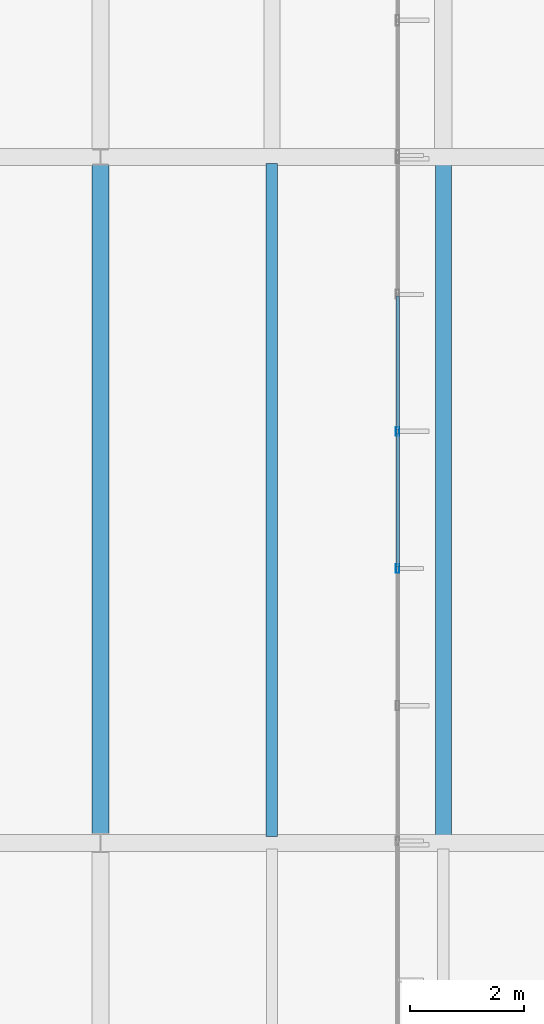
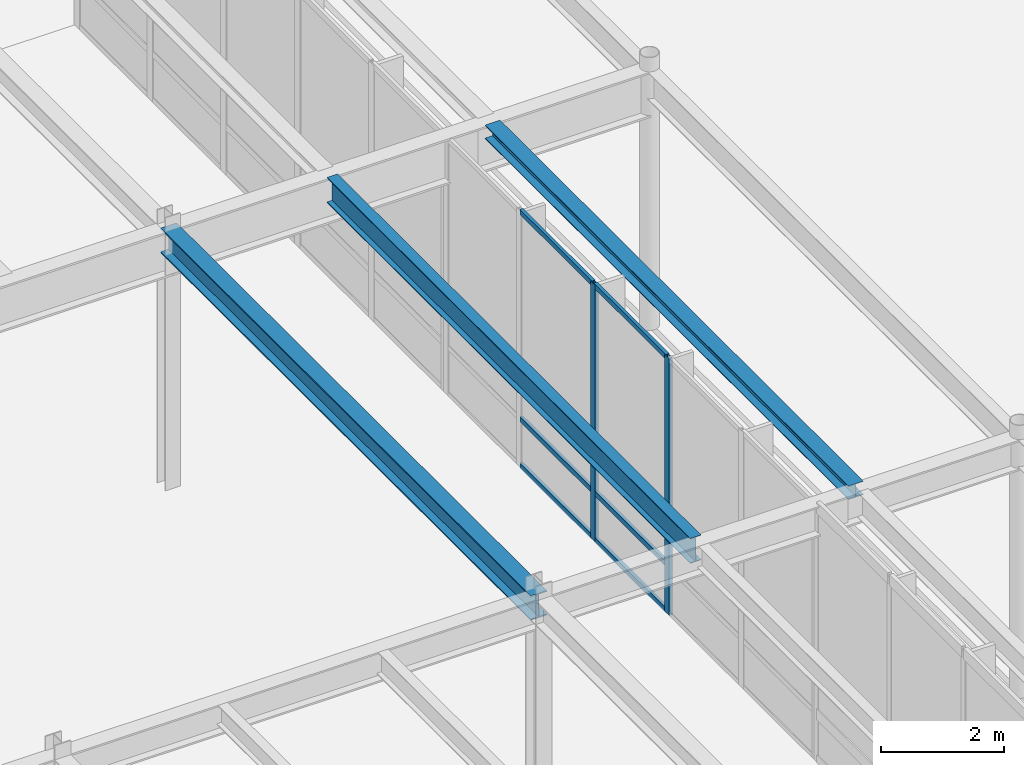
# One storey, part 44 of 143: 8 members, 3 beams, 1 element without a shape of its own.
"""IFC4 building model written with IfcOpenShell, lengths in metres."""

from ifc_helpers import new_model, si_unit, direction, frame, origin, origin_2d, place, context, subcontext, project, spatial, hollow_rectangle, i_section, extrude, material, layer, layer_set, material_profile, profile_set, type_object, element, aggregate, save


model = new_model("IFC4")

# Units and contexts
model_context = context("Model", 3, precision=1e-05, world=origin(), true_north=direction((0.0, 1.0)))
body_context = subcontext(model_context, "Body", "Model", "MODEL_VIEW")
ifc_project = project(units=[si_unit("LENGTHUNIT", "METRE"), si_unit("AREAUNIT", "SQUARE_METRE"), si_unit("VOLUMEUNIT", "CUBIC_METRE"), si_unit("PLANEANGLEUNIT", "RADIAN"), si_unit("MASSUNIT", "GRAM", prefix="KILO")], contexts=[model_context])

# Site, building, storey
site_placement = place(None, origin())
site = spatial("IfcSite", under=ifc_project, at=site_placement, CompositionType="ELEMENT")
building_placement = place(site_placement, origin())
building = spatial("IfcBuilding", under=site, at=building_placement, Name="Montelvaro Courts of Justice", CompositionType="ELEMENT")
storey_placement = place(building_placement, origin())
storey = spatial("IfcBuildingStorey", under=building, at=storey_placement, Name="L00", CompositionType="ELEMENT", Elevation=0.0)

# Beams
ifc_material_1 = material(Name="Steel S355", Category="steel")
ifc_material_profile_1 = material_profile(ifc_material_1, i_section(OverallWidth=0.280029296875, OverallDepth=0.27001953125, WebThickness=0.008056640625, FlangeThickness=0.012939453125, at=origin_2d()), Name="HEA 280")
ifc_profile_set_1 = profile_set([ifc_material_profile_1], Name="Steel S355")
beam_type_1 = type_object("IfcBeamType", Name="Beam_HEA280", PredefinedType="BEAM", material=ifc_profile_set_1)
beam_1_placement = place(storey_placement, frame((78.0, 54.110107421875, 4.985107421875), z_axis=(0.0, 1.0, 0.0), x_axis=(-1.0, 0.0, 0.0)))
element("IfcBeam", 1, at=beam_1_placement, inside=storey, type_object=beam_type_1, Name="Beam B-14 L00", PredefinedType="BEAM", context=body_context, shape_type="SweptSolid", body=[
    extrude(i_section(OverallWidth=0.280029296875, OverallDepth=0.27001953125, WebThickness=0.008056640625, FlangeThickness=0.012939453125, at=origin_2d()), origin(), (0.0, 0.0, 1.0), 11.77978515625),
])
ifc_material_profile_2 = material_profile(ifc_material_1, i_section(OverallWidth=0.300048828125, OverallDepth=0.489990234375, WebThickness=0.011962890625, FlangeThickness=0.02294921875, at=origin_2d()), Name="HEA 500")
ifc_profile_set_2 = profile_set([ifc_material_profile_2], Name="Steel S355")
beam_type_2 = type_object("IfcBeamType", Name="Beam_HEA500", PredefinedType="USERDEFINED", material=ifc_profile_set_2)
beam_2_placement = place(storey_placement, frame((72.0, 54.0, 4.875), z_axis=(0.0, 1.0, 0.0), x_axis=(-1.0, 0.0, 0.0)))
element("IfcBeam", 2, at=beam_2_placement, inside=storey, type_object=beam_type_2, Name="Beam B-19 L00", ObjectType="GIRDER", PredefinedType="USERDEFINED", context=body_context, shape_type="SweptSolid", body=[
    extrude(i_section(OverallWidth=0.300048828125, OverallDepth=0.489990234375, WebThickness=0.011962890625, FlangeThickness=0.02294921875, at=origin_2d()), origin(), (0.0, 0.0, 1.0), 12.0),
])
ifc_material_profile_3 = material_profile(ifc_material_1, i_section(OverallWidth=0.199951171875, OverallDepth=0.5, WebThickness=0.01025390625, FlangeThickness=0.01611328125, at=origin_2d()), Name="IPE 500")
ifc_profile_set_3 = profile_set([ifc_material_profile_3], Name="Steel S355")
beam_type_3 = type_object("IfcBeamType", Name="Beam_IPE500", PredefinedType="BEAM", material=ifc_profile_set_3)
beam_3_placement = place(storey_placement, frame((75.0, 54.110107421875, 4.8701171875), z_axis=(0.0, 1.0, 0.0), x_axis=(-1.0, 0.0, 0.0)))
element("IfcBeam", 3, at=beam_3_placement, inside=storey, type_object=beam_type_3, Name="Beam B-10 L00", PredefinedType="BEAM", context=body_context, shape_type="SweptSolid", body=[
    extrude(i_section(OverallWidth=0.199951171875, OverallDepth=0.5, WebThickness=0.01025390625, FlangeThickness=0.01611328125, at=origin_2d()), origin(), (0.0, 0.0, 1.0), 11.77978515625),
])

# Curtain wall, members
ifc_material_2 = material(Name="Anodised aluminium EN AW-6063", Category="aluminium")
ifc_layer = layer(ifc_material_2, 0.159912109375)
ifc_layer_set = layer_set([ifc_layer], Name="Anodised aluminium EN AW-6063")
curtain_wall_type = type_object("IfcCurtainWallType", Name="CurtainWall_06_1200x508", PredefinedType="USERDEFINED", material=ifc_layer_set)
curtain_wall_placement = place(storey_placement, origin())
curtain_wall = element("IfcCurtainWall", 4, at=curtain_wall_placement, inside=storey, type_object=curtain_wall_type, Name="Curtain Wall CW-06 (L00)", ObjectType="CURTAIN WALL", PredefinedType="USERDEFINED")
ifc_material_profile_4 = material_profile(ifc_material_2, hollow_rectangle(XDim=0.06005859375, YDim=0.14990234375, WallThickness=0.00390625, at=origin_2d()), Name="ALU-M 60x150")
ifc_profile_set_4 = profile_set([ifc_material_profile_4], Name="Anodised aluminium EN AW-6063")
member_type_1 = type_object("IfcMemberType", Name="CurtainWall_Mullion_60x150", PredefinedType="MULLION", material=ifc_profile_set_4)
member_1_placement = place(storey_placement, frame((77.199951171875, 58.800048828125, 0.0), z_axis=(0.0, 0.0, 1.0), x_axis=(-1.0, 0.0, 0.0)))
member_1 = element("IfcMember", 5, at=member_1_placement, type_object=member_type_1, Name="CW-06 mullion 3", PredefinedType="MULLION", context=body_context, shape_type="SweptSolid", body=[
    extrude(hollow_rectangle(XDim=0.06005859375, YDim=0.14990234375, WallThickness=0.00390625, at=origin_2d()), origin(), (0.0, 0.0, 1.0), 5.080078125),
])
member_2_placement = place(storey_placement, frame((77.199951171875, 61.199951171875, 0.0), z_axis=(0.0, 0.0, 1.0), x_axis=(-1.0, 0.0, 0.0)))
member_2 = element("IfcMember", 6, at=member_2_placement, type_object=member_type_1, Name="CW-06 mullion 4", PredefinedType="MULLION", context=body_context, shape_type="SweptSolid", body=[
    extrude(hollow_rectangle(XDim=0.06005859375, YDim=0.14990234375, WallThickness=0.00390625, at=origin_2d()), origin(), (0.0, 0.0, 1.0), 5.080078125),
])
ifc_material_profile_5 = material_profile(ifc_material_2, hollow_rectangle(XDim=0.06005859375, YDim=0.10009765625, WallThickness=0.00341796875, at=origin_2d()), Name="ALU-T 60x100")
ifc_profile_set_5 = profile_set([ifc_material_profile_5], Name="Anodised aluminium EN AW-6063")
member_type_2 = type_object("IfcMemberType", Name="CurtainWall_Transom_60x100", PredefinedType="USERDEFINED", material=ifc_profile_set_5)
member_3_placement = place(storey_placement, frame((77.199951171875, 58.830078125, 0.030029296875), z_axis=(0.0, 1.0, 0.0), x_axis=(-1.0, 0.0, 0.0)))
member_3 = element("IfcMember", 7, at=member_3_placement, type_object=member_type_2, Name="CW-06 transom 3.1", ObjectType="TRANSOM", PredefinedType="USERDEFINED", context=body_context, shape_type="SweptSolid", body=[
    extrude(hollow_rectangle(XDim=0.06005859375, YDim=0.10009765625, WallThickness=0.00341796875, at=origin_2d()), origin(), (0.0, 0.0, 1.0), 2.33984375),
])
member_4_placement = place(storey_placement, frame((77.199951171875, 58.830078125, 0.949951171875), z_axis=(0.0, 1.0, 0.0), x_axis=(-1.0, 0.0, 0.0)))
member_4 = element("IfcMember", 8, at=member_4_placement, type_object=member_type_2, Name="CW-06 transom 3.2", ObjectType="TRANSOM", PredefinedType="USERDEFINED", context=body_context, shape_type="SweptSolid", body=[
    extrude(hollow_rectangle(XDim=0.06005859375, YDim=0.10009765625, WallThickness=0.00341796875, at=origin_2d()), origin(), (0.0, 0.0, 1.0), 2.33984375),
])
member_5_placement = place(storey_placement, frame((77.199951171875, 58.830078125, 5.050048828125), z_axis=(0.0, 1.0, 0.0), x_axis=(-1.0, 0.0, 0.0)))
member_5 = element("IfcMember", 9, at=member_5_placement, type_object=member_type_2, Name="CW-06 transom 3.3", ObjectType="TRANSOM", PredefinedType="USERDEFINED", context=body_context, shape_type="SweptSolid", body=[
    extrude(hollow_rectangle(XDim=0.06005859375, YDim=0.10009765625, WallThickness=0.00341796875, at=origin_2d()), origin(), (0.0, 0.0, 1.0), 2.33984375),
])
member_6_placement = place(storey_placement, frame((77.199951171875, 61.22998046875, 0.030029296875), z_axis=(0.0, 1.0, 0.0), x_axis=(-1.0, 0.0, 0.0)))
member_6 = element("IfcMember", 10, at=member_6_placement, type_object=member_type_2, Name="CW-06 transom 4.1", ObjectType="TRANSOM", PredefinedType="USERDEFINED", context=body_context, shape_type="SweptSolid", body=[
    extrude(hollow_rectangle(XDim=0.06005859375, YDim=0.10009765625, WallThickness=0.00341796875, at=origin_2d()), origin(), (0.0, 0.0, 1.0), 2.340087890625),
])
member_7_placement = place(storey_placement, frame((77.199951171875, 61.22998046875, 0.949951171875), z_axis=(0.0, 1.0, 0.0), x_axis=(-1.0, 0.0, 0.0)))
member_7 = element("IfcMember", 11, at=member_7_placement, type_object=member_type_2, Name="CW-06 transom 4.2", ObjectType="TRANSOM", PredefinedType="USERDEFINED", context=body_context, shape_type="SweptSolid", body=[
    extrude(hollow_rectangle(XDim=0.06005859375, YDim=0.10009765625, WallThickness=0.00341796875, at=origin_2d()), origin(), (0.0, 0.0, 1.0), 2.340087890625),
])
member_8_placement = place(storey_placement, frame((77.199951171875, 61.22998046875, 5.050048828125), z_axis=(0.0, 1.0, 0.0), x_axis=(-1.0, 0.0, 0.0)))
member_8 = element("IfcMember", 12, at=member_8_placement, type_object=member_type_2, Name="CW-06 transom 4.3", ObjectType="TRANSOM", PredefinedType="USERDEFINED", context=body_context, shape_type="SweptSolid", body=[
    extrude(hollow_rectangle(XDim=0.06005859375, YDim=0.10009765625, WallThickness=0.00341796875, at=origin_2d()), origin(), (0.0, 0.0, 1.0), 2.340087890625),
])
aggregate(curtain_wall, [member_1, member_2, member_3, member_4, member_5, member_6, member_7, member_8])

save(model, "model.ifc")
